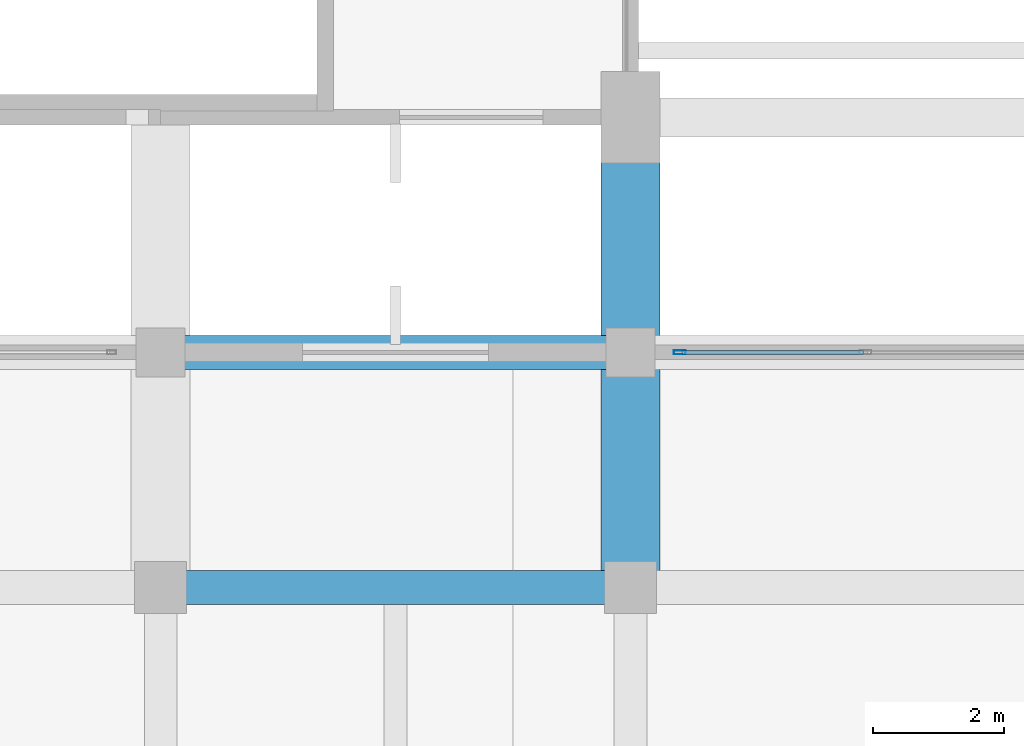
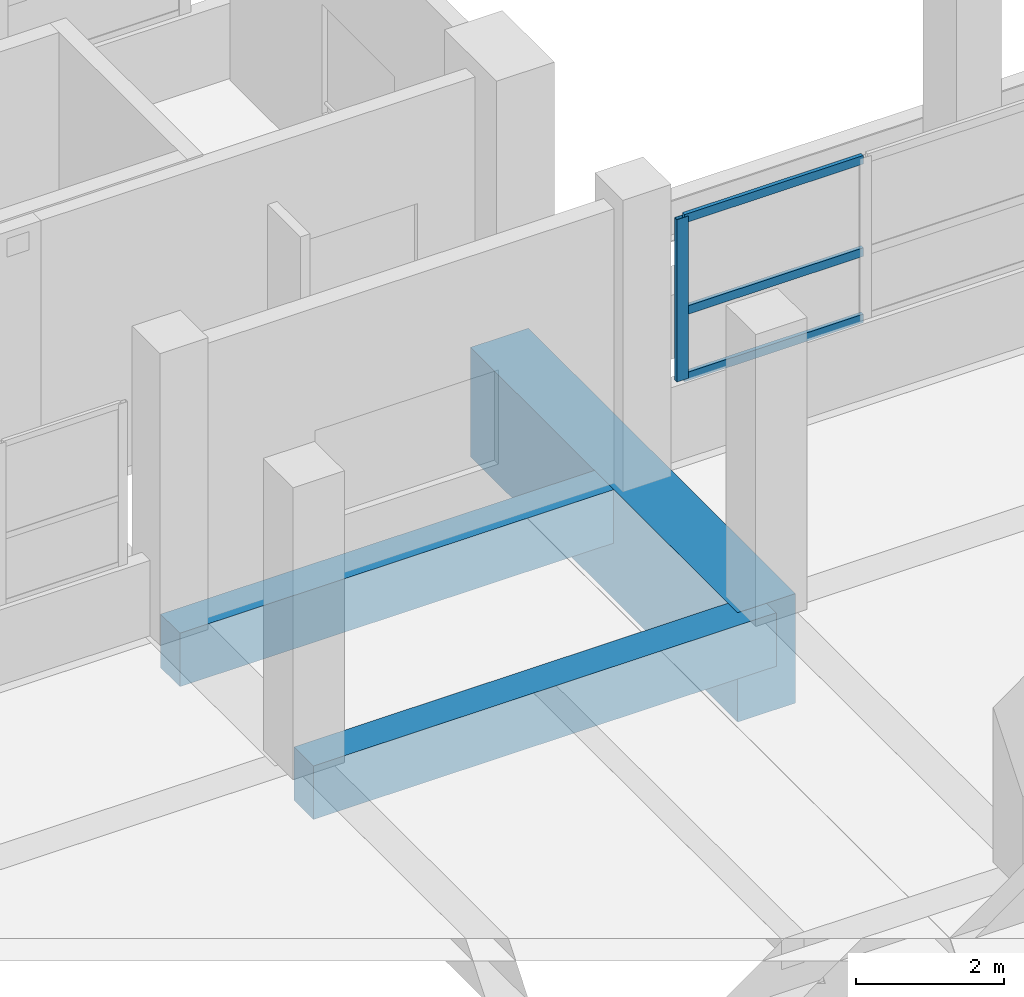
# One storey, part 58 of 140: 4 members, 3 beams, 1 element without a shape of its own.
"""IFC4 building model written with IfcOpenShell, lengths in metres."""

from ifc_helpers import new_model, si_unit, direction, frame, origin, origin_2d, place, context, subcontext, project, spatial, rectangle, hollow_rectangle, extrude, material, layer, layer_set, material_profile, profile_set, type_object, element, aggregate, save


model = new_model("IFC4")

# Units and contexts
model_context = context("Model", 3, precision=1e-05, world=origin(), true_north=direction((0.0, 1.0)))
body_context = subcontext(model_context, "Body", "Model", "MODEL_VIEW")
ifc_project = project(units=[si_unit("LENGTHUNIT", "METRE"), si_unit("AREAUNIT", "SQUARE_METRE"), si_unit("VOLUMEUNIT", "CUBIC_METRE"), si_unit("PLANEANGLEUNIT", "RADIAN"), si_unit("MASSUNIT", "GRAM", prefix="KILO")], contexts=[model_context])

# Site, building, storey
site_placement = place(None, origin())
site = spatial("IfcSite", under=ifc_project, at=site_placement, CompositionType="ELEMENT")
building_placement = place(site_placement, origin())
building = spatial("IfcBuilding", under=site, at=building_placement, Name="Seraya Terrace Polytechnic", CompositionType="ELEMENT")
storey_placement = place(building_placement, frame((0.0, 0.0, 9.60009765625)))
storey = spatial("IfcBuildingStorey", under=building, at=storey_placement, Name="L02", CompositionType="ELEMENT", Elevation=9.60009765625)

# Beams
ifc_material_1 = material(Name="Concrete C40/50", Category="concrete")
ifc_material_profile_1 = material_profile(ifc_material_1, rectangle(XDim=0.52001953125, YDim=0.8798828125, at=origin_2d()), Name="RC 520x880")
ifc_profile_set_1 = profile_set([ifc_material_profile_1], Name="Concrete C40/50")
beam_type_1 = type_object("IfcBeamType", Name="BM-04", PredefinedType="BEAM", material=ifc_profile_set_1)
for number, where, z_axis, x_axis, name in (
    (1, (21.60009765625, 72.0, -0.440185546875), (1.0, 0.0, 0.0), (0.0, 1.0, 0.0), "Beam BM-04 L02 X (21.6..28.8, 72.0)"),
    (2, (21.60009765625, 75.60009765625, -0.440185546875), (1.0, 0.0, 0.0), (0.0, 1.0, 0.0), "Beam BM-04 L02 X (21.6..28.8, 75.6)"),
):
    element("IfcBeam", number, at=place(storey_placement, frame(where, z_axis=z_axis, x_axis=x_axis)), inside=storey, type_object=beam_type_1, Name=name, PredefinedType="BEAM", context=body_context, shape_type="SweptSolid", body=[
        extrude(rectangle(XDim=0.52001953125, YDim=0.8798828125, at=origin_2d()), origin(), (0.0, 0.0, 1.0), 7.199951171875),
    ])

# Curtain wall, members
ifc_material_2 = material(Name="Anodised aluminium EN AW-6063 T6", Category="aluminium")
ifc_layer = layer(ifc_material_2, 0.179931640625, Name="CW-22")
ifc_layer_set = layer_set([ifc_layer], Name="Anodised aluminium EN AW-6063 T6")
curtain_wall_type = type_object("IfcCurtainWallType", Name="CW-22", PredefinedType="NOTDEFINED", material=ifc_layer_set)
curtain_wall_placement = place(storey_placement, origin())
curtain_wall = element("IfcCurtainWall", 3, at=curtain_wall_placement, inside=storey, type_object=curtain_wall_type, Name="Unitised curtain wall CW-22 (CW-L02-058)", PredefinedType="NOTDEFINED")
ifc_material_profile_2 = material_profile(ifc_material_2, hollow_rectangle(XDim=0.06494140625, YDim=0.179931640625, WallThickness=0.00390625, at=origin_2d()), Name="RHS 180x65x4.0")
ifc_profile_set_2 = profile_set([ifc_material_profile_2], Name="Anodised aluminium EN AW-6063 T6")
member_type_1 = type_object("IfcMemberType", Name="CWM-01", PredefinedType="MULLION", material=ifc_profile_set_2)
member_1_placement = place(storey_placement, frame((29.552490234375, 75.60009765625, 1.239990234375), z_axis=(0.0, 0.0, 1.0), x_axis=(0.0, 1.0, 0.0)))
member_1 = element("IfcMember", 4, at=member_1_placement, type_object=member_type_1, Name="CW-22 mullion 1", PredefinedType="MULLION", context=body_context, shape_type="SweptSolid", body=[
    extrude(hollow_rectangle(XDim=0.06494140625, YDim=0.179931640625, WallThickness=0.00390625, at=origin_2d()), origin(), (0.0, 0.0, 1.0), 2.669921875),
])
ifc_material_profile_3 = material_profile(ifc_material_2, hollow_rectangle(XDim=0.06005859375, YDim=0.139892578125, WallThickness=0.00341796875, at=origin_2d()), Name="RHS 140x60x3.5")
ifc_profile_set_3 = profile_set([ifc_material_profile_3], Name="Anodised aluminium EN AW-6063 T6")
member_type_2 = type_object("IfcMemberType", Name="CWT-01", PredefinedType="USERDEFINED", material=ifc_profile_set_3)
member_2_placement = place(storey_placement, frame((29.5849609375, 75.60009765625, 1.27001953125), z_axis=(1.0, 0.0, 0.0), x_axis=(0.0, 1.0, 0.0)))
member_2 = element("IfcMember", 5, at=member_2_placement, type_object=member_type_2, Name="CW-22 transom 1.1", ObjectType="TRANSOM", PredefinedType="USERDEFINED", context=body_context, shape_type="SweptSolid", body=[
    extrude(hollow_rectangle(XDim=0.06005859375, YDim=0.139892578125, WallThickness=0.00341796875, at=origin_2d()), origin(), (0.0, 0.0, 1.0), 2.782470703125),
])
member_3_placement = place(storey_placement, frame((29.5849609375, 75.60009765625, 2.361328125), z_axis=(1.0, 0.0, 0.0), x_axis=(0.0, 1.0, 0.0)))
member_3 = element("IfcMember", 6, at=member_3_placement, type_object=member_type_2, Name="CW-22 transom 1.2", ObjectType="TRANSOM", PredefinedType="USERDEFINED", context=body_context, shape_type="SweptSolid", body=[
    extrude(hollow_rectangle(XDim=0.06005859375, YDim=0.139892578125, WallThickness=0.00341796875, at=origin_2d()), origin(), (0.0, 0.0, 1.0), 2.782470703125),
])
member_4_placement = place(storey_placement, frame((29.5849609375, 75.60009765625, 3.8798828125), z_axis=(1.0, 0.0, 0.0), x_axis=(0.0, 1.0, 0.0)))
member_4 = element("IfcMember", 7, at=member_4_placement, type_object=member_type_2, Name="CW-22 transom 1.3", ObjectType="TRANSOM", PredefinedType="USERDEFINED", context=body_context, shape_type="SweptSolid", body=[
    extrude(hollow_rectangle(XDim=0.06005859375, YDim=0.139892578125, WallThickness=0.00341796875, at=origin_2d()), origin(), (0.0, 0.0, 1.0), 2.782470703125),
])
aggregate(curtain_wall, [member_1, member_2, member_3, member_4])

# Beam
ifc_material_profile_4 = material_profile(ifc_material_1, rectangle(XDim=0.89990234375, YDim=1.800048828125, at=origin_2d()), Name="RC 900x1800")
ifc_profile_set_4 = profile_set([ifc_material_profile_4], Name="Concrete C40/50")
beam_type_2 = type_object("IfcBeamType", Name="TG-01", PredefinedType="USERDEFINED", material=ifc_profile_set_4)
beam_placement = place(storey_placement, frame((28.800048828125, 72.0, -0.900146484375), z_axis=(0.0, 1.0, 0.0), x_axis=(-1.0, 0.0, 0.0)))
element("IfcBeam", 8, at=beam_placement, inside=storey, type_object=beam_type_2, Name="Transfer girder TG-01 L02 #10", ObjectType="GIRDER", PredefinedType="USERDEFINED", context=body_context, shape_type="SweptSolid", body=[
    extrude(rectangle(XDim=0.89990234375, YDim=1.800048828125, at=origin_2d()), origin(), (0.0, 0.0, 1.0), 7.199951171875),
])

save(model, "model.ifc")
